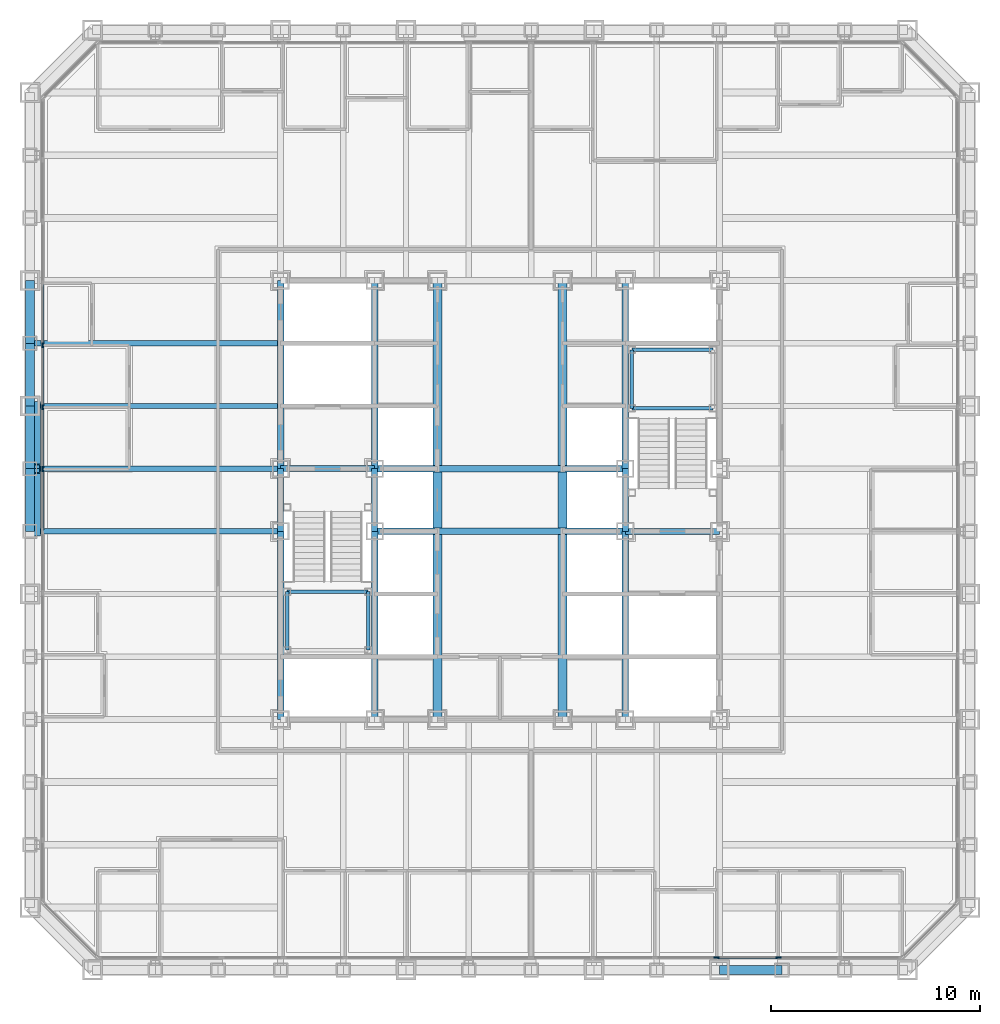
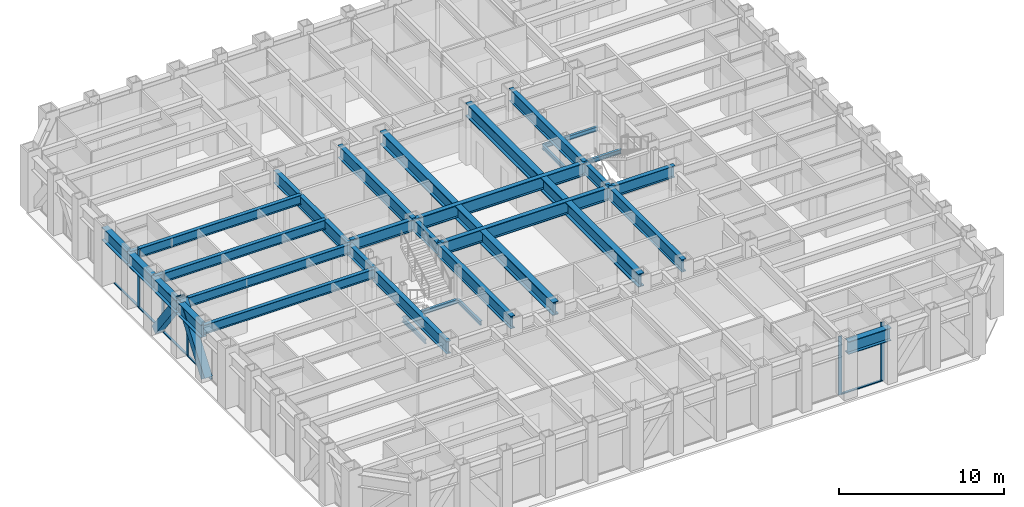
# One storey, part 3 of 16: 34 beams, 12 members, 2 elements without a shape of their own.
"""IFC4 building model written with IfcOpenShell, lengths in metres."""

from ifc_helpers import new_model, si_unit, direction, frame, origin, origin_2d, place, context, subcontext, project, spatial, rectangle, hollow_rectangle, i_section, extrude, material, layer, layer_set, material_profile, profile_set, type_object, element, aggregate, save


model = new_model("IFC4")

# Units and contexts
model_context = context("Model", 3, precision=1e-05, world=origin(), true_north=direction((0.0, 1.0)))
body_context = subcontext(model_context, "Body", "Model", "MODEL_VIEW")
ifc_project = project(units=[si_unit("LENGTHUNIT", "METRE"), si_unit("AREAUNIT", "SQUARE_METRE"), si_unit("VOLUMEUNIT", "CUBIC_METRE"), si_unit("PLANEANGLEUNIT", "RADIAN"), si_unit("MASSUNIT", "GRAM", prefix="KILO")], contexts=[model_context])

# Site, building, storey
site_placement = place(None, origin())
site = spatial("IfcSite", under=ifc_project, at=site_placement, CompositionType="ELEMENT")
building_placement = place(site_placement, origin())
building = spatial("IfcBuilding", under=site, at=building_placement, Name="Chuquiago Exchange Tower", CompositionType="ELEMENT")
storey_placement = place(building_placement, frame((0.0, 0.0, 51.300048828125)))
storey = spatial("IfcBuildingStorey", under=building, at=storey_placement, Name="L10", CompositionType="ELEMENT", Elevation=51.300048828125)

# Beams
ifc_material_1 = material(Name="Steel ASTM A992", Category="steel")
ifc_material_profile_1 = material_profile(ifc_material_1, i_section(OverallWidth=0.307373046875, OverallDepth=0.927001953125, WebThickness=0.01953125, FlangeThickness=0.031982421875, at=origin_2d()), Name="W36X194")
ifc_profile_set_1 = profile_set([ifc_material_profile_1], Name="Steel ASTM A992")
beam_type_1 = type_object("IfcBeamType", Name="B10 W36X194", PredefinedType="BEAM", material=ifc_profile_set_1)
for number, where, z_axis, x_axis, name in (
    (1, (12.0, 12.0, 3.576416015625), (0.0, 1.0, 0.0), (-1.0, 0.0, 0.0), "CB-L11-12_12-12_21"),
    (2, (12.0, 24.0, 3.576416015625), (0.0, 1.0, 0.0), (-1.0, 0.0, 0.0), "CB-L11-12_24-12_33"),
    (3, (16.5, 12.0, 3.87646484375), (0.0, 1.0, 0.0), (-1.0, 0.0, 0.0), "CB-L11-16.5_12-16.5_21"),
    (4, (16.5, 24.0, 3.87646484375), (0.0, 1.0, 0.0), (-1.0, 0.0, 0.0), "CB-L11-16.5_24-16.5_33"),
    (5, (28.5, 12.0, 3.87646484375), (0.0, 1.0, 0.0), (-1.0, 0.0, 0.0), "CB-L11-28.5_12-28.5_21"),
    (6, (28.5, 24.0, 3.87646484375), (0.0, 1.0, 0.0), (-1.0, 0.0, 0.0), "CB-L11-28.5_24-28.5_33"),
):
    element("IfcBeam", number, at=place(storey_placement, frame(where, z_axis=z_axis, x_axis=x_axis)), inside=storey, type_object=beam_type_1, Name=name, PredefinedType="BEAM", context=body_context, shape_type="SweptSolid", body=[
        extrude(i_section(OverallWidth=0.307373046875, OverallDepth=0.927001953125, WebThickness=0.01953125, FlangeThickness=0.031982421875, at=origin_2d()), origin(), (0.0, 0.0, 1.0), 9.0),
    ])
ifc_material_2 = material(Name="Steel ASTM A992", Category="steel")
ifc_material_profile_2 = material_profile(ifc_material_2, i_section(OverallWidth=0.309814453125, OverallDepth=0.949951171875, WebThickness=0.0244140625, FlangeThickness=0.0439453125, at=origin_2d()), Name="W36X256")
ifc_profile_set_2 = profile_set([ifc_material_profile_2], Name="Steel ASTM A992")
beam_type_2 = type_object("IfcBeamType", Name="B11 W36X256", PredefinedType="BEAM", material=ifc_profile_set_2)
for number, where, z_axis, x_axis, name in (
    (7, (16.5, 21.0, 3.864990234375), (1.0, 0.0, 0.0), (0.0, 1.0, 0.0), "CB-L11-16.5_21-28.5_21"),
    (8, (16.5, 24.0, 3.864990234375), (1.0, 0.0, 0.0), (0.0, 1.0, 0.0), "CB-L11-16.5_24-28.5_24"),
):
    element("IfcBeam", number, at=place(storey_placement, frame(where, z_axis=z_axis, x_axis=x_axis)), inside=storey, type_object=beam_type_2, Name=name, PredefinedType="BEAM", context=body_context, shape_type="SweptSolid", body=[
        extrude(i_section(OverallWidth=0.309814453125, OverallDepth=0.949951171875, WebThickness=0.0244140625, FlangeThickness=0.0439453125, at=origin_2d()), origin(), (0.0, 0.0, 1.0), 12.0),
    ])
ifc_material_3 = material(Name="Steel ASTM A992", Category="steel")
ifc_material_profile_3 = material_profile(ifc_material_3, i_section(OverallWidth=0.4267578125, OverallDepth=0.975341796875, WebThickness=0.031005859375, FlangeThickness=0.055908203125, at=origin_2d()), Name="W36X395")
ifc_profile_set_3 = profile_set([ifc_material_profile_3], Name="Steel ASTM A992")
beam_type_3 = type_object("IfcBeamType", Name="B12 W36X395", PredefinedType="BEAM", material=ifc_profile_set_3)
beam_1_placement = place(storey_placement, frame((19.5, 12.0, 3.852294921875), z_axis=(0.0, 1.0, 0.0), x_axis=(-1.0, 0.0, 0.0)))
element("IfcBeam", 9, at=beam_1_placement, inside=storey, type_object=beam_type_3, Name="CB-L11-19.5_12-19.5_20.8451", PredefinedType="BEAM", context=body_context, shape_type="SweptSolid", body=[
    extrude(i_section(OverallWidth=0.4267578125, OverallDepth=0.975341796875, WebThickness=0.031005859375, FlangeThickness=0.055908203125, at=origin_2d()), origin(), (0.0, 0.0, 1.0), 8.84521484375),
])
beam_2_placement = place(storey_placement, frame((19.5, 21.15478515625, 3.852294921875), z_axis=(0.0, 1.0, 0.0), x_axis=(-1.0, 0.0, 0.0)))
element("IfcBeam", 10, at=beam_2_placement, inside=storey, type_object=beam_type_3, Name="CB-L11-19.5_21.1549-19.5_23.8451", PredefinedType="BEAM", context=body_context, shape_type="SweptSolid", body=[
    extrude(i_section(OverallWidth=0.4267578125, OverallDepth=0.975341796875, WebThickness=0.031005859375, FlangeThickness=0.055908203125, at=origin_2d()), origin(), (0.0, 0.0, 1.0), 2.6904296875),
])
for number, where, z_axis, x_axis, name in (
    (11, (19.5, 24.15478515625, 3.852294921875), (0.0, 1.0, 0.0), (-1.0, 0.0, 0.0), "CB-L11-19.5_24.1549-19.5_33"),
    (12, (25.5, 12.0, 3.852294921875), (0.0, 1.0, 0.0), (-1.0, 0.0, 0.0), "CB-L11-25.5_12-25.5_20.8451"),
):
    element("IfcBeam", number, at=place(storey_placement, frame(where, z_axis=z_axis, x_axis=x_axis)), inside=storey, type_object=beam_type_3, Name=name, PredefinedType="BEAM", context=body_context, shape_type="SweptSolid", body=[
        extrude(i_section(OverallWidth=0.4267578125, OverallDepth=0.975341796875, WebThickness=0.031005859375, FlangeThickness=0.055908203125, at=origin_2d()), origin(), (0.0, 0.0, 1.0), 8.84521484375),
    ])
beam_3_placement = place(storey_placement, frame((25.5, 21.15478515625, 3.852294921875), z_axis=(0.0, 1.0, 0.0), x_axis=(-1.0, 0.0, 0.0)))
element("IfcBeam", 13, at=beam_3_placement, inside=storey, type_object=beam_type_3, Name="CB-L11-25.5_21.1549-25.5_23.8451", PredefinedType="BEAM", context=body_context, shape_type="SweptSolid", body=[
    extrude(i_section(OverallWidth=0.4267578125, OverallDepth=0.975341796875, WebThickness=0.031005859375, FlangeThickness=0.055908203125, at=origin_2d()), origin(), (0.0, 0.0, 1.0), 2.6904296875),
])
beam_4_placement = place(storey_placement, frame((25.5, 24.15478515625, 3.852294921875), z_axis=(0.0, 1.0, 0.0), x_axis=(-1.0, 0.0, 0.0)))
element("IfcBeam", 14, at=beam_4_placement, inside=storey, type_object=beam_type_3, Name="CB-L11-25.5_24.1549-25.5_33", PredefinedType="BEAM", context=body_context, shape_type="SweptSolid", body=[
    extrude(i_section(OverallWidth=0.4267578125, OverallDepth=0.975341796875, WebThickness=0.031005859375, FlangeThickness=0.055908203125, at=origin_2d()), origin(), (0.0, 0.0, 1.0), 8.84521484375),
])
ifc_material_4 = material(Name="Steel ASTM A992", Category="steel")
ifc_material_profile_4 = material_profile(ifc_material_4, i_section(OverallWidth=0.2919921875, OverallDepth=0.8583984375, WebThickness=0.01708984375, FlangeThickness=0.031005859375, at=origin_2d()), Name="W33X169")
ifc_profile_set_4 = profile_set([ifc_material_profile_4], Name="Steel ASTM A992")
beam_type_4 = type_object("IfcBeamType", Name="B3 W33X169", PredefinedType="BEAM", material=ifc_profile_set_4)
for number, where, z_axis, x_axis, name in (
    (15, (12.0, 21.0, 3.610595703125), (0.0, 1.0, 0.0), (-1.0, 0.0, 0.0), "CB-L11-12_21-12_24"),
    (16, (16.5, 21.0, 3.91064453125), (0.0, 1.0, 0.0), (-1.0, 0.0, 0.0), "CB-L11-16.5_21-16.5_24"),
    (17, (28.5, 21.0, 3.91064453125), (0.0, 1.0, 0.0), (-1.0, 0.0, 0.0), "CB-L11-28.5_21-28.5_24"),
):
    element("IfcBeam", number, at=place(storey_placement, frame(where, z_axis=z_axis, x_axis=x_axis)), inside=storey, type_object=beam_type_4, Name=name, PredefinedType="BEAM", context=body_context, shape_type="SweptSolid", body=[
        extrude(i_section(OverallWidth=0.2919921875, OverallDepth=0.8583984375, WebThickness=0.01708984375, FlangeThickness=0.031005859375, at=origin_2d()), origin(), (0.0, 0.0, 1.0), 3.0),
    ])
for number, where, z_axis, x_axis, name in (
    (18, (28.5, 21.0, 3.91064453125), (1.0, 0.0, 0.0), (0.0, 1.0, 0.0), "CB-L11-28.5_21-33_21"),
    (19, (12.0, 24.0, 3.91064453125), (1.0, 0.0, 0.0), (0.0, 1.0, 0.0), "CB-L11-12_24-16.5_24"),
):
    element("IfcBeam", number, at=place(storey_placement, frame(where, z_axis=z_axis, x_axis=x_axis)), inside=storey, type_object=beam_type_4, Name=name, PredefinedType="BEAM", context=body_context, shape_type="SweptSolid", body=[
        extrude(i_section(OverallWidth=0.2919921875, OverallDepth=0.8583984375, WebThickness=0.01708984375, FlangeThickness=0.031005859375, at=origin_2d()), origin(), (0.0, 0.0, 1.0), 4.5),
    ])
ifc_material_5 = material(Name="Steel ASTM A992", Category="steel")
ifc_material_profile_5 = material_profile(ifc_material_5, i_section(OverallWidth=0.256591796875, OverallDepth=0.693359375, WebThickness=0.014404296875, FlangeThickness=0.023681640625, at=origin_2d()), Name="W27X114")
ifc_profile_set_5 = profile_set([ifc_material_profile_5], Name="Steel ASTM A992")
beam_type_5 = type_object("IfcBeamType", Name="B4 W27X114", PredefinedType="BEAM", material=ifc_profile_set_5)
for number, where, z_axis, x_axis, name in (
    (20, (12.0, 21.0, 3.693359375), (-1.0, 0.0, 0.0), (0.0, -1.0, 0.0), "FB-L11-infill-12_21--0_21-0"),
    (21, (12.0, 24.0, 3.693359375), (-1.0, 0.0, 0.0), (0.0, -1.0, 0.0), "FB-L11-infill-12_24--0_24-0"),
    (22, (12.0, 27.0, 3.693359375), (-1.0, 0.0, 0.0), (0.0, -1.0, 0.0), "FB-L11-infill-12_27--0_27-0"),
    (23, (12.0, 30.0, 3.693359375), (-1.0, 0.0, 0.0), (0.0, -1.0, 0.0), "FB-L11-infill-12_30--0_30-0"),
):
    element("IfcBeam", number, at=place(storey_placement, frame(where, z_axis=z_axis, x_axis=x_axis)), inside=storey, type_object=beam_type_5, Name=name, PredefinedType="BEAM", context=body_context, shape_type="SweptSolid", body=[
        extrude(i_section(OverallWidth=0.256591796875, OverallDepth=0.693359375, WebThickness=0.014404296875, FlangeThickness=0.023681640625, at=origin_2d()), origin(), (0.0, 0.0, 1.0), 12.0),
    ])

# Curtain wall, members
ifc_material_6 = material(Name="Aluminium curtain wall system", Category="aluminium")
ifc_layer = layer(ifc_material_6, 0.25)
ifc_layer_set = layer_set([ifc_layer], Name="CW1 trading floor curtain wall")
curtain_wall_type = type_object("IfcCurtainWallType", Name="CW1 trading floor curtain wall", PredefinedType="NOTDEFINED", material=ifc_layer_set)
curtain_wall_1_placement = place(storey_placement, origin())
curtain_wall_1 = element("IfcCurtainWall", 24, at=curtain_wall_1_placement, inside=storey, type_object=curtain_wall_type, Name="CW1 curtain wall L10", PredefinedType="NOTDEFINED")
ifc_material_7 = material(Name="Aluminium mullion, pale anodised", Category="aluminium")
ifc_material_profile_6 = material_profile(ifc_material_7, rectangle(XDim=0.074951171875, YDim=0.25, at=origin_2d()), Name="AL 75x250")
ifc_profile_set_6 = profile_set([ifc_material_profile_6], Name="Aluminium mullion, pale anodised")
member_type_1 = type_object("IfcMemberType", Name="CW1-M mullion 75x250", PredefinedType="MULLION", material=ifc_profile_set_6)
member_1_placement = place(storey_placement, frame((32.8662109375, 0.60009765625, -0.300048828125), z_axis=(0.0, 0.0, 1.0), x_axis=(0.0, 1.0, 0.0)))
member_1 = element("IfcMember", 25, at=member_1_placement, type_object=member_type_1, Name="CW1 mullion 11", PredefinedType="MULLION", context=body_context, shape_type="SweptSolid", body=[
    extrude(rectangle(XDim=0.074951171875, YDim=0.25, at=origin_2d()), origin(), (0.0, 0.0, 1.0), 4.340087890625),
])
member_2_placement = place(storey_placement, frame((35.827880859375, 0.60009765625, -0.300048828125), z_axis=(0.0, 0.0, 1.0), x_axis=(0.0, 1.0, 0.0)))
member_2 = element("IfcMember", 26, at=member_2_placement, type_object=member_type_1, Name="CW1 mullion 12", PredefinedType="MULLION", context=body_context, shape_type="SweptSolid", body=[
    extrude(rectangle(XDim=0.074951171875, YDim=0.25, at=origin_2d()), origin(), (0.0, 0.0, 1.0), 4.340087890625),
])

curtain_wall_2_placement = place(storey_placement, origin())
curtain_wall_2 = element("IfcCurtainWall", 27, at=curtain_wall_2_placement, inside=storey, type_object=curtain_wall_type, Name="CW1 curtain wall L10", PredefinedType="NOTDEFINED")
member_3_placement = place(storey_placement, frame((0.60009765625, 29.904541015625, -0.300048828125), z_axis=(0.0, 0.0, 1.0), x_axis=(1.0, 0.0, 0.0)))
member_3 = element("IfcMember", 28, at=member_3_placement, type_object=member_type_1, Name="CW1 mullion 5", PredefinedType="MULLION", context=body_context, shape_type="SweptSolid", body=[
    extrude(rectangle(XDim=0.074951171875, YDim=0.25, at=origin_2d()), origin(), (0.0, 0.0, 1.0), 4.340087890625),
])
member_4_placement = place(storey_placement, frame((0.60009765625, 26.942626953125, -0.300048828125), z_axis=(0.0, 0.0, 1.0), x_axis=(1.0, 0.0, 0.0)))
member_4 = element("IfcMember", 29, at=member_4_placement, type_object=member_type_1, Name="CW1 mullion 6", PredefinedType="MULLION", context=body_context, shape_type="SweptSolid", body=[
    extrude(rectangle(XDim=0.074951171875, YDim=0.25, at=origin_2d()), origin(), (0.0, 0.0, 1.0), 4.340087890625),
])
member_5_placement = place(storey_placement, frame((0.60009765625, 23.98095703125, -0.300048828125), z_axis=(0.0, 0.0, 1.0), x_axis=(1.0, 0.0, 0.0)))
member_5 = element("IfcMember", 30, at=member_5_placement, type_object=member_type_1, Name="CW1 mullion 7", PredefinedType="MULLION", context=body_context, shape_type="SweptSolid", body=[
    extrude(rectangle(XDim=0.074951171875, YDim=0.25, at=origin_2d()), origin(), (0.0, 0.0, 1.0), 4.340087890625),
])

# Member
ifc_material_8 = material(Name="Aluminium transom, pale anodised", Category="aluminium")
ifc_material_profile_7 = material_profile(ifc_material_8, rectangle(XDim=0.14990234375, YDim=0.074951171875, at=origin_2d()), Name="AL 150x75")
ifc_profile_set_7 = profile_set([ifc_material_profile_7], Name="Aluminium transom, pale anodised")
member_type_2 = type_object("IfcMemberType", Name="CW1-T transom 75x150", PredefinedType="MULLION", material=ifc_profile_set_7)
member_6_placement = place(storey_placement, frame((32.90380859375, 0.60009765625, -0.262451171875), z_axis=(1.0, 0.0, 0.0), x_axis=(0.0, 1.0, 0.0)))
member_6 = element("IfcMember", 31, at=member_6_placement, type_object=member_type_2, Name="CW1 transom 11.1", PredefinedType="MULLION", context=body_context, shape_type="SweptSolid", body=[
    extrude(rectangle(XDim=0.14990234375, YDim=0.074951171875, at=origin_2d()), origin(), (0.0, 0.0, 1.0), 2.88671875),
])

aggregate(curtain_wall_1, [member_1, member_2, member_6])

member_7_placement = place(storey_placement, frame((0.60009765625, 32.82861328125, -0.262451171875), z_axis=(0.0, -1.0, 0.0), x_axis=(1.0, 0.0, 0.0)))
member_7 = element("IfcMember", 32, at=member_7_placement, type_object=member_type_2, Name="CW1 transom 4.1", PredefinedType="MULLION", context=body_context, shape_type="SweptSolid", body=[
    extrude(rectangle(XDim=0.14990234375, YDim=0.074951171875, at=origin_2d()), origin(), (0.0, 0.0, 1.0), 2.88671875),
])

member_8_placement = place(storey_placement, frame((0.60009765625, 29.866943359375, -0.262451171875), z_axis=(0.0, -1.0, 0.0), x_axis=(1.0, 0.0, 0.0)))
member_8 = element("IfcMember", 33, at=member_8_placement, type_object=member_type_2, Name="CW1 transom 5.1", PredefinedType="MULLION", context=body_context, shape_type="SweptSolid", body=[
    extrude(rectangle(XDim=0.14990234375, YDim=0.074951171875, at=origin_2d()), origin(), (0.0, 0.0, 1.0), 2.88671875),
])

member_9_placement = place(storey_placement, frame((0.60009765625, 26.9052734375, -0.262451171875), z_axis=(0.0, -1.0, 0.0), x_axis=(1.0, 0.0, 0.0)))
member_9 = element("IfcMember", 34, at=member_9_placement, type_object=member_type_2, Name="CW1 transom 6.1", PredefinedType="MULLION", context=body_context, shape_type="SweptSolid", body=[
    extrude(rectangle(XDim=0.14990234375, YDim=0.074951171875, at=origin_2d()), origin(), (0.0, 0.0, 1.0), 2.886962890625),
])

member_10_placement = place(storey_placement, frame((0.60009765625, 23.943359375, -0.262451171875), z_axis=(0.0, -1.0, 0.0), x_axis=(1.0, 0.0, 0.0)))
member_10 = element("IfcMember", 35, at=member_10_placement, type_object=member_type_2, Name="CW1 transom 7.1", PredefinedType="MULLION", context=body_context, shape_type="SweptSolid", body=[
    extrude(rectangle(XDim=0.14990234375, YDim=0.074951171875, at=origin_2d()), origin(), (0.0, 0.0, 1.0), 2.88671875),
])

aggregate(curtain_wall_2, [member_3, member_4, member_5, member_7, member_8, member_9, member_10])

# Beams
ifc_material_9 = material(Name="Steel ASTM A992", Category="steel")
ifc_material_profile_8 = material_profile(ifc_material_9, i_section(OverallWidth=0.164794921875, OverallDepth=0.309814453125, WebThickness=0.005859375, FlangeThickness=0.009765625, at=origin_2d()), Name="W12X26")
ifc_profile_set_8 = profile_set([ifc_material_profile_8], Name="Steel ASTM A992")
beam_type_6 = type_object("IfcBeamType", Name="LS1 W12X26", PredefinedType="BEAM", material=ifc_profile_set_8)
for number, where, z_axis, x_axis, name in (
    (36, (12.31005859375, 15.31005859375, 1.89501953125), (0.0, 1.0, 0.0), (-1.0, 0.0, 0.0), "Stair ST1 L10 landing 1 stringer"),
    (37, (16.18994140625, 15.31005859375, 1.89501953125), (0.0, 1.0, 0.0), (-1.0, 0.0, 0.0), "Stair ST1 L10 landing 1 stringer"),
    (38, (28.81005859375, 26.889892578125, 1.89501953125), (0.0, 1.0, 0.0), (-1.0, 0.0, 0.0), "Stair ST2 L10 landing 1 stringer"),
):
    element("IfcBeam", number, at=place(storey_placement, frame(where, z_axis=z_axis, x_axis=x_axis)), inside=storey, type_object=beam_type_6, Name=name, PredefinedType="BEAM", context=body_context, shape_type="SweptSolid", body=[
        extrude(i_section(OverallWidth=0.164794921875, OverallDepth=0.309814453125, WebThickness=0.005859375, FlangeThickness=0.009765625, at=origin_2d()), origin(), (0.0, 0.0, 1.0), 2.800048828125),
    ])
ifc_material_10 = material(Name="Steel ASTM A992", Category="steel")
ifc_material_profile_9 = material_profile(ifc_material_10, i_section(OverallWidth=0.164794921875, OverallDepth=0.309814453125, WebThickness=0.005859375, FlangeThickness=0.009765625, at=origin_2d()), Name="W12X26")
ifc_profile_set_9 = profile_set([ifc_material_profile_9], Name="Steel ASTM A992")
beam_type_7 = type_object("IfcBeamType", Name="LT1 W12X26", PredefinedType="BEAM", material=ifc_profile_set_9)
for number, where, z_axis, x_axis, name in (
    (39, (12.31005859375, 18.110107421875, 1.89501953125), (1.0, 0.0, 0.0), (0.0, 1.0, 0.0), "Stair ST1 L10 landing 1 trimmer"),
    (40, (28.81005859375, 29.68994140625, 1.89501953125), (1.0, 0.0, 0.0), (0.0, 1.0, 0.0), "Stair ST2 L10 landing 1 trimmer"),
    (41, (28.81005859375, 26.889892578125, 1.89501953125), (1.0, 0.0, 0.0), (0.0, 1.0, 0.0), "Stair ST2 L10 landing 1 trimmer"),
):
    element("IfcBeam", number, at=place(storey_placement, frame(where, z_axis=z_axis, x_axis=x_axis)), inside=storey, type_object=beam_type_7, Name=name, PredefinedType="BEAM", context=body_context, shape_type="SweptSolid", body=[
        extrude(i_section(OverallWidth=0.164794921875, OverallDepth=0.309814453125, WebThickness=0.005859375, FlangeThickness=0.009765625, at=origin_2d()), origin(), (0.0, 0.0, 1.0), 3.8798828125),
    ])

# Members
ifc_material_11 = material(Name="Steel ASTM A572 Grade 50", Category="steel")
ifc_material_profile_10 = material_profile(ifc_material_11, hollow_rectangle(XDim=0.550048828125, YDim=0.550048828125, WallThickness=0.044921875, at=origin_2d()), Name="BOX550X550X45")
ifc_profile_set_10 = profile_set([ifc_material_profile_10], Name="Steel ASTM A572 Grade 50")
member_type_3 = type_object("IfcMemberType", Name="MB1 BOX550X550X45", PredefinedType="BRACE", material=ifc_profile_set_10)
for number, where, z_axis, x_axis, name in (
    (42, (0.22998046875, 27.0, 0.0), (0.0, -0.596173923302, 0.802855312728), (1.0, 0.0, 0.0), "Mega diagonal L10 W face"),
    (43, (0.22998046875, 21.0, 0.0), (0.0, 0.596173923302, 0.802855312728), (-1.0, 0.0, 0.0), "Mega diagonal L10 W face"),
):
    element("IfcMember", number, at=place(storey_placement, frame(where, z_axis=z_axis, x_axis=x_axis)), inside=storey, type_object=member_type_3, Name=name, PredefinedType="BRACE", context=body_context, shape_type="SweptSolid", body=[
        extrude(hollow_rectangle(XDim=0.550048828125, YDim=0.550048828125, WallThickness=0.044921875, at=origin_2d()), origin(), (0.0, 0.0, 1.0), 5.031982421875),
    ])

# Beams
ifc_material_12 = material(Name="Steel ASTM A992", Category="steel")
ifc_material_profile_11 = material_profile(ifc_material_12, i_section(OverallWidth=0.424072265625, OverallDepth=0.947509765625, WebThickness=0.02392578125, FlangeThickness=0.042724609375, at=origin_2d()), Name="W36X302")
ifc_profile_set_11 = profile_set([ifc_material_profile_11], Name="Steel ASTM A992")
beam_type_8 = type_object("IfcBeamType", Name="SP1 W36X302", PredefinedType="SPANDREL", material=ifc_profile_set_11)
for number, where, z_axis, x_axis, name in (
    (44, (33.0, 0.0, 3.566162109375), (1.0, 0.0, 0.0), (0.0, 1.0, 0.0), "SPB-L11-33_0-36_0"),
    (45, (0.0, 33.0, 3.566162109375), (0.0, -1.0, 0.0), (1.0, 0.0, 0.0), "SPB-L11-0_33-0_30"),
    (46, (0.0, 30.0, 3.566162109375), (0.0, -1.0, 0.0), (1.0, 0.0, 0.0), "SPB-L11-0_30-0_27"),
    (47, (0.0, 27.0, 3.566162109375), (0.0, -1.0, 0.0), (1.0, 0.0, 0.0), "SPB-L11-0_27-0_24"),
    (48, (0.0, 24.0, 3.566162109375), (0.0, -1.0, 0.0), (1.0, 0.0, 0.0), "SPB-L11-0_24-0_21"),
):
    element("IfcBeam", number, at=place(storey_placement, frame(where, z_axis=z_axis, x_axis=x_axis)), inside=storey, type_object=beam_type_8, Name=name, PredefinedType="SPANDREL", context=body_context, shape_type="SweptSolid", body=[
        extrude(i_section(OverallWidth=0.424072265625, OverallDepth=0.947509765625, WebThickness=0.02392578125, FlangeThickness=0.042724609375, at=origin_2d()), origin(), (0.0, 0.0, 1.0), 3.0),
    ])

save(model, "model.ifc")
